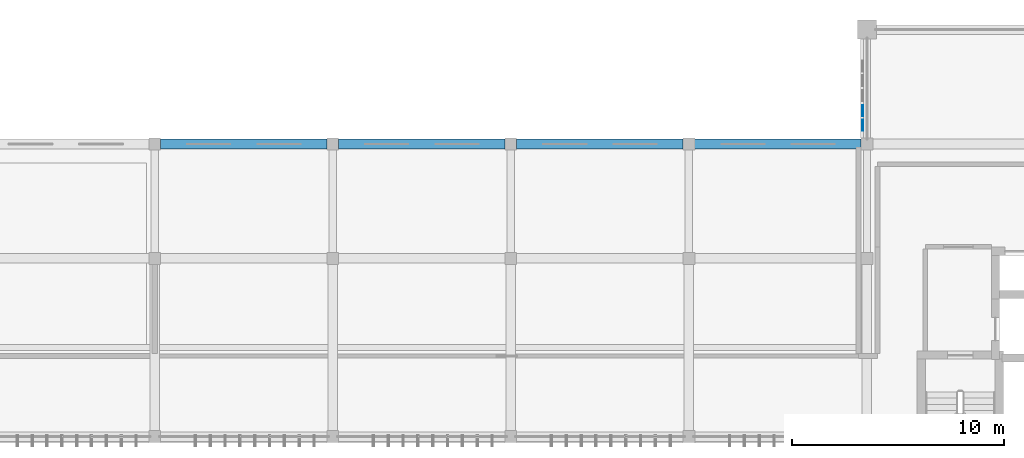
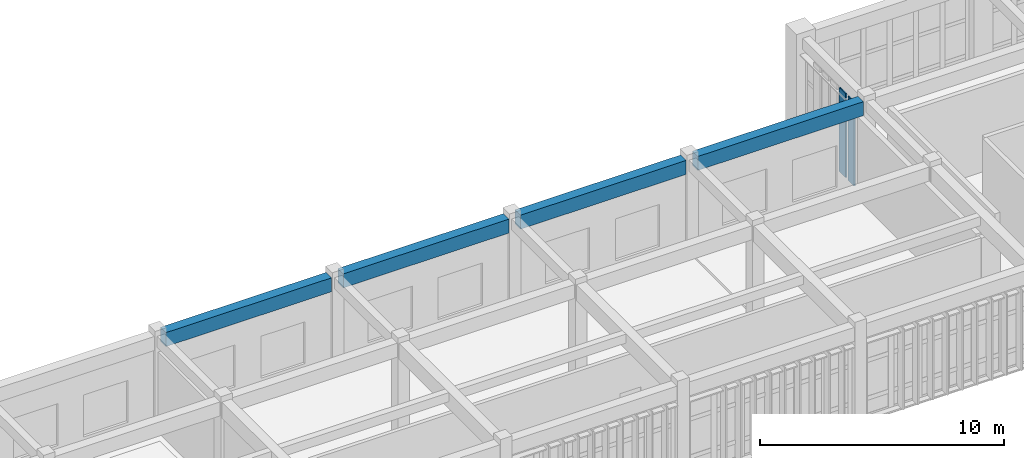
# One storey, part 52 of 106: 4 beams, 2 members.
"""IFC4 building model written with IfcOpenShell, lengths in metres."""

import ifcopenshell
import ifcopenshell.guid

model = None  # the IFC model being written
_history = None  # IfcOwnerHistory: only IFC2X3 demands one
_inside = {}  # id of a spatial element -> (the spatial element, [elements in it])
_under = {}  # id of a project, library or spatial element -> (it, [spatial elements below it])
_declared = {}  # id of a project -> (the project, [libraries it declares])
_typed = {}  # id of a type object -> (the type object, [elements of that type])
_made_of = {}  # id of a material, layer set ... -> (it, [elements and type objects made of it])


def new_model(schema):
    """Start an empty IFC model of exactly this schema.

    Asked for "IFC4X3", IfcOpenShell would pick the latest addendum, in which some entities
    have other attributes; the version numbers below select the first issue.
    IFC2X3 requires an IfcOwnerHistory on every rooted entity: one is made here for all.
    """
    global model, _history
    if schema == "IFC4X3":
        model = ifcopenshell.file(schema_version=(4, 3, 0, 0))
    else:
        model = ifcopenshell.file(schema=schema)
    _inside.clear()
    _under.clear()
    _declared.clear()
    _typed.clear()
    _made_of.clear()
    _history = None
    if model.schema == "IFC2X3":
        org = make("IfcOrganization", Name="unknown")
        user = make(
            "IfcPersonAndOrganization",
            ThePerson=make("IfcPerson", FamilyName="unknown"),
            TheOrganization=org,
        )
        app = make(
            "IfcApplication",
            ApplicationDeveloper=org,
            Version="unknown",
            ApplicationFullName="unknown",
            ApplicationIdentifier="unknown",
        )
        _history = make(
            "IfcOwnerHistory",
            OwningUser=user,
            OwningApplication=app,
            ChangeAction="ADDED",
            CreationDate=0,
        )
    return model


def make(cls, **values):
    """One entity of the class cls with the attributes given. An attribute that is None is left unset."""
    return model.create_entity(
        cls, **{name: value for name, value in values.items() if value is not None}
    )


def rooted(cls, **values):
    """An entity with a GlobalId (a new one), such as an element, a storey or a relation."""
    return make(cls, GlobalId=ifcopenshell.guid.new(), OwnerHistory=_history, **values)


def si_unit(unit_type, name, prefix=None):
    """IfcSIUnit, for example si_unit("LENGTHUNIT", "METRE", prefix="MILLI")."""
    return make("IfcSIUnit", UnitType=unit_type, Prefix=prefix, Name=name)


def assignment(units):
    """IfcUnitAssignment: the units of a project."""
    return None if units is None else make("IfcUnitAssignment", Units=units)


def point(xyz):
    """IfcCartesianPoint."""
    return None if xyz is None else make("IfcCartesianPoint", Coordinates=xyz)


def direction(xyz):
    """IfcDirection."""
    return None if xyz is None else make("IfcDirection", DirectionRatios=xyz)


def frame(location, z_axis=None, x_axis=None):
    """IfcAxis2Placement3D, a coordinate frame: its origin and axes. An axis left out is left unset."""
    return make(
        "IfcAxis2Placement3D",
        Location=point(location),
        Axis=direction(z_axis),
        RefDirection=direction(x_axis),
    )


def frame_2d(location, x_axis=None):
    """IfcAxis2Placement2D, a coordinate frame in the plane: its origin and x axis."""
    return make(
        "IfcAxis2Placement2D", Location=point(location), RefDirection=direction(x_axis)
    )


def origin():
    """The frame at (0, 0, 0) with its axes left unset."""
    return frame((0.0, 0.0, 0.0))


def origin_2d():
    """The frame at (0, 0) in the plane with its x axis left unset."""
    return frame_2d((0.0, 0.0))


def place(relative_to, where):
    """IfcLocalPlacement: puts the frame where relative to a parent placement (None: the world)."""
    return make(
        "IfcLocalPlacement", PlacementRelTo=relative_to, RelativePlacement=where
    )


def context(
    kind, dimensions, precision=None, world=None, true_north=None, identifier=None
):
    """IfcGeometricRepresentationContext, for example the 3D "Model" context."""
    return make(
        "IfcGeometricRepresentationContext",
        ContextIdentifier=identifier,
        ContextType=kind,
        CoordinateSpaceDimension=dimensions,
        Precision=precision,
        WorldCoordinateSystem=world,
        TrueNorth=true_north,
    )


def subcontext(parent, identifier, kind, view, scale=None):
    """IfcGeometricRepresentationSubContext, for example "Body" below "Model"."""
    return make(
        "IfcGeometricRepresentationSubContext",
        ContextIdentifier=identifier,
        ContextType=kind,
        ParentContext=parent,
        TargetScale=scale,
        TargetView=view,
    )


def project(units=None, contexts=None):
    """IfcProject with its units and contexts."""
    return rooted(
        "IfcProject",
        Name="project",
        RepresentationContexts=contexts,
        UnitsInContext=assignment(units),
    )


def spatial(cls, under=None, at=None, **own):
    """A site, building, storey or space (cls), placed at a placement, below another one or the project."""
    s = rooted(cls, ObjectPlacement=at, **own)
    if under is not None:
        _under.setdefault(under.id(), (under, []))[1].append(s)
    return s


def profile(cls, at=None, kind="AREA", **sizes):
    """A parametric profile (cls). Its sizes go by their IFC names, for example OverallWidth=200.0."""
    return make(cls, ProfileType=kind, Position=at, **sizes)


def rectangle(**sizes):
    """IfcRectangleProfileDef."""
    return profile("IfcRectangleProfileDef", **sizes)


def hollow_rectangle(**sizes):
    """IfcRectangleHollowProfileDef."""
    return profile("IfcRectangleHollowProfileDef", **sizes)


def extrude(swept, where, along, depth):
    """IfcExtrudedAreaSolid: the profile swept, set in the frame where, extruded along a direction by depth."""
    return make(
        "IfcExtrudedAreaSolid",
        SweptArea=swept,
        Position=where,
        ExtrudedDirection=direction(along),
        Depth=depth,
    )


def shape(context_of_items, identifier, shape_type, items):
    """IfcShapeRepresentation: the items that make up one representation, for example the "Body"."""
    return make(
        "IfcShapeRepresentation",
        ContextOfItems=context_of_items,
        RepresentationIdentifier=identifier,
        RepresentationType=shape_type,
        Items=items,
    )


def material(Name=None, Category=None):
    """IfcMaterial."""
    return make("IfcMaterial", Name=Name, Category=Category)


def material_profile(
    of_material, cross_section, Name=None, Category=None, Priority=None
):
    """IfcMaterialProfile: a cross section and its material."""
    return make(
        "IfcMaterialProfile",
        Name=Name,
        Material=of_material,
        Profile=cross_section,
        Priority=Priority,
        Category=Category,
    )


def profile_set(profiles, Name=None, composite=None):
    """IfcMaterialProfileSet."""
    return make(
        "IfcMaterialProfileSet",
        Name=Name,
        MaterialProfiles=profiles,
        CompositeProfile=composite,
    )


def made_of(thing, what):
    """Note that an element or type object is made of a material, layer set ...; save() writes the relation."""
    if what is not None:
        _made_of.setdefault(what.id(), (what, []))[1].append(thing)
    return thing


def type_object(cls, material=None, **own):
    """A type object (cls), such as IfcWallType, which elements share."""
    return made_of(rooted(cls, **own), material)


def element(
    cls,
    number,
    at=None,
    inside=None,
    cuts=None,
    type_object=None,
    material=None,
    context=None,
    identifier="Body",
    shape_type=None,
    held_by="IfcProductDefinitionShape",
    body=None,
    shapes=None,
    **own,
):
    """One element of the class cls, such as IfcWall. Its Tag is "e" and its number.

    at: its placement. inside: the storey or other place that contains it. cuts: it is an
    opening in that element (IfcRelVoidsElement). A single representation is given by context,
    identifier, shape_type and body (its items); several are given by shapes. held_by: the class
    of the entity that holds the representations. save() writes the other relations.
    """
    e = rooted(cls, Tag="e%d" % number, ObjectPlacement=at, **own)
    if body is not None:
        shapes = [shape(context, identifier, shape_type, body)]
    if shapes is not None:
        e.Representation = make(held_by, Representations=shapes)
    if inside is not None:
        _inside.setdefault(inside.id(), (inside, []))[1].append(e)
    if cuts is not None:
        rooted(
            "IfcRelVoidsElement", RelatingBuildingElement=cuts, RelatedOpeningElement=e
        )
    if type_object is not None:
        _typed.setdefault(type_object.id(), (type_object, []))[1].append(e)
    return made_of(e, material)


def aggregate(whole, parts):
    """IfcRelAggregates: a whole, such as a stair, and the parts it consists of."""
    return rooted("IfcRelAggregates", RelatingObject=whole, RelatedObjects=parts)


def save(model, path):
    """Write the relations noted so far, then the file.

    IfcRelAggregates (storeys below a building ...), IfcRelContainedInSpatialStructure (elements
    in a storey), IfcRelDefinesByType, IfcRelAssociatesMaterial and IfcRelDeclares: one each for
    every whole, place, type object, material and project.
    """
    for whole, parts in _under.values():
        aggregate(whole, parts)
    for where, things in _inside.values():
        rooted(
            "IfcRelContainedInSpatialStructure",
            RelatedElements=things,
            RelatingStructure=where,
        )
    for kind, things in _typed.values():
        rooted("IfcRelDefinesByType", RelatedObjects=things, RelatingType=kind)
    for what, things in _made_of.values():
        rooted("IfcRelAssociatesMaterial", RelatedObjects=things, RelatingMaterial=what)
    for by, libraries in _declared.values():
        rooted("IfcRelDeclares", RelatingContext=by, RelatedDefinitions=libraries)
    model.write(path)


model = new_model("IFC4")

# Units and contexts
model_context = context("Model", 3, precision=1e-05, world=origin(), true_north=direction((0.0, 1.0)))
body_context = subcontext(model_context, "Body", "Model", "MODEL_VIEW")
ifc_project = project(units=[si_unit("LENGTHUNIT", "METRE"), si_unit("AREAUNIT", "SQUARE_METRE"), si_unit("VOLUMEUNIT", "CUBIC_METRE"), si_unit("PLANEANGLEUNIT", "RADIAN"), si_unit("MASSUNIT", "GRAM", prefix="KILO")], contexts=[model_context])

# Site, building, storey
site_placement = place(None, origin())
site = spatial("IfcSite", under=ifc_project, at=site_placement, CompositionType="ELEMENT")
building_placement = place(site_placement, origin())
building = spatial("IfcBuilding", under=site, at=building_placement, Name="Krzemoval Escarpment Law Courts", CompositionType="ELEMENT")
storey_placement = place(building_placement, frame((0.0, 0.0, 5.10009765625)))
storey = spatial("IfcBuildingStorey", under=building, at=storey_placement, Name="L01", CompositionType="ELEMENT", Elevation=5.10009765625)

# Beams
ifc_material_1 = material(Name="Concrete C40/50", Category="concrete")
ifc_material_profile_1 = material_profile(ifc_material_1, rectangle(XDim=0.449951171875, YDim=0.699951171875, at=origin_2d()), Name="RCB 450x700")
ifc_profile_set_1 = profile_set([ifc_material_profile_1], Name="Concrete C40/50")
beam_type = type_object("IfcBeamType", Name="BM-RC-450x700", PredefinedType="BEAM", material=ifc_profile_set_1)
beam_1_placement = place(storey_placement, frame((92.675048828125, 113.39990234375, 4.469970703125), z_axis=(1.0, 0.0, 0.0), x_axis=(0.0, 1.0, 0.0)))
element("IfcBeam", 1, at=beam_1_placement, inside=storey, type_object=beam_type, Name="Beam FG-L01-1348", PredefinedType="BEAM", context=body_context, shape_type="SweptSolid", body=[
    extrude(rectangle(XDim=0.449951171875, YDim=0.699951171875, at=origin_2d()), origin(), (0.0, 0.0, 1.0), 7.849853515625),
])
beam_2_placement = place(storey_placement, frame((101.074951171875, 113.39990234375, 4.469970703125), z_axis=(1.0, 0.0, 0.0), x_axis=(0.0, 1.0, 0.0)))
element("IfcBeam", 2, at=beam_2_placement, inside=storey, type_object=beam_type, Name="Beam FG-L01-1349", PredefinedType="BEAM", context=body_context, shape_type="SweptSolid", body=[
    extrude(rectangle(XDim=0.449951171875, YDim=0.699951171875, at=origin_2d()), origin(), (0.0, 0.0, 1.0), 7.85009765625),
])
beam_3_placement = place(storey_placement, frame((109.47509765625, 113.39990234375, 4.469970703125), z_axis=(1.0, 0.0, 0.0), x_axis=(0.0, 1.0, 0.0)))
element("IfcBeam", 3, at=beam_3_placement, inside=storey, type_object=beam_type, Name="Beam FG-L01-1350", PredefinedType="BEAM", context=body_context, shape_type="SweptSolid", body=[
    extrude(rectangle(XDim=0.449951171875, YDim=0.699951171875, at=origin_2d()), origin(), (0.0, 0.0, 1.0), 7.849853515625),
])
beam_4_placement = place(storey_placement, frame((117.875, 113.39990234375, 4.469970703125), z_axis=(1.0, 0.0, 0.0), x_axis=(0.0, 1.0, 0.0)))
element("IfcBeam", 4, at=beam_4_placement, inside=storey, type_object=beam_type, Name="Beam FG-L01-1351", PredefinedType="BEAM", context=body_context, shape_type="SweptSolid", body=[
    extrude(rectangle(XDim=0.449951171875, YDim=0.699951171875, at=origin_2d()), origin(), (0.0, 0.0, 1.0), 7.85009765625),
])

# Members
ifc_material_2 = material(Name="Anodised Aluminium Alloy 6063-T6", Category="aluminium")
ifc_material_profile_2 = material_profile(ifc_material_2, hollow_rectangle(XDim=0.06494140625, YDim=0.52001953125, WallThickness=0.00439453125, at=origin_2d()), Name="ALU LVR 65x520")
ifc_profile_set_2 = profile_set([ifc_material_profile_2], Name="Anodised Aluminium Alloy 6063-T6")
member_type = type_object("IfcMemberType", Name="LVR-ALU-520", PredefinedType="USERDEFINED", material=ifc_profile_set_2)
for number, where, z_axis, x_axis, name in (
    (5, (125.800048828125, 114.27490234375, 0.059814453125), (0.0, 0.0, 1.0), (1.0, 0.0, 0.0), "Sunshade Louvre Fin FLV-L01-0089"),
    (6, (125.800048828125, 114.97509765625, 0.059814453125), (0.0, 0.0, 1.0), (1.0, 0.0, 0.0), "Sunshade Louvre Fin FLV-L01-0090"),
):
    element("IfcMember", number, at=place(storey_placement, frame(where, z_axis=z_axis, x_axis=x_axis)), inside=storey, type_object=member_type, Name=name, ObjectType="SUNSHADE_LOUVRE", PredefinedType="USERDEFINED", context=body_context, shape_type="SweptSolid", body=[
        extrude(hollow_rectangle(XDim=0.06494140625, YDim=0.52001953125, WallThickness=0.00439453125, at=origin_2d()), origin(), (0.0, 0.0, 1.0), 4.210205078125),
    ])

save(model, "model.ifc")
